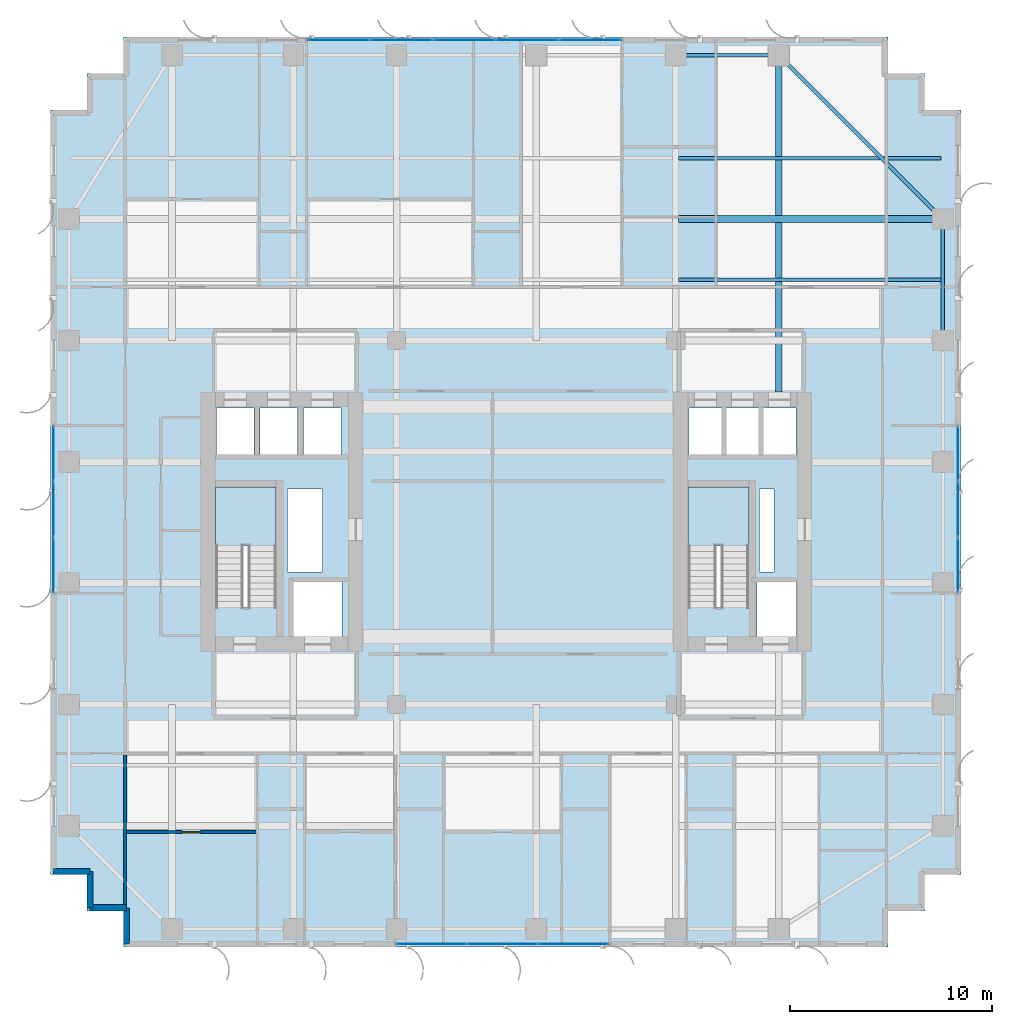
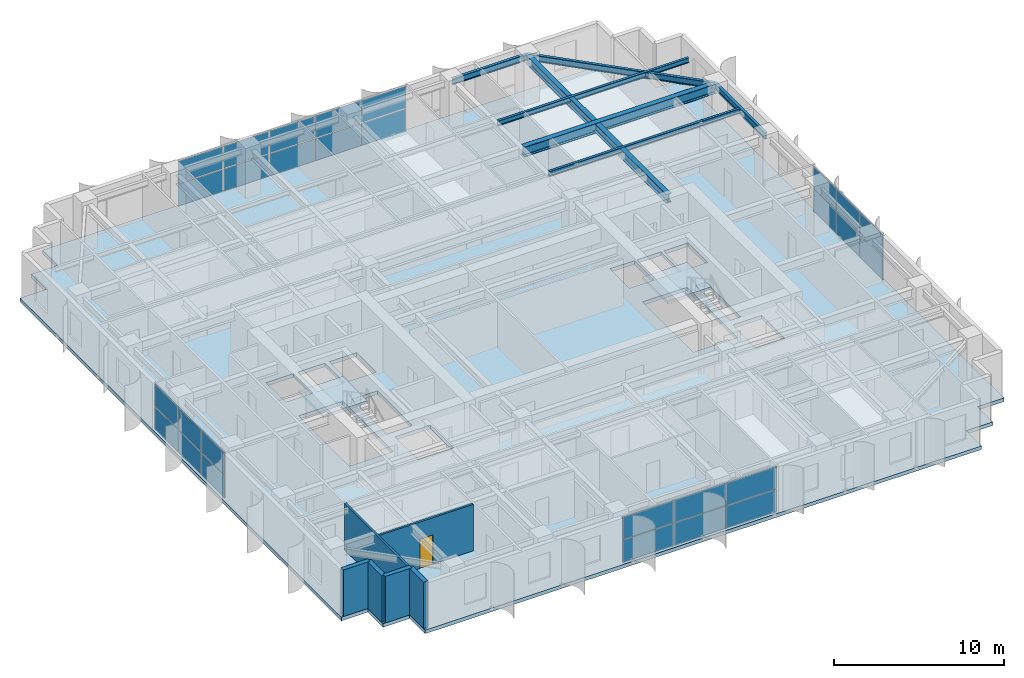
# One storey, part 12 of 22: 28 plates, 7 beams, 6 walls, 3 slabs, 1 door, 1 opening, 6 elements without a shape of their own.
"""IFC4 building model written with IfcOpenShell, lengths in metres."""

import ifcopenshell
import ifcopenshell.guid

model = None  # the IFC model being written
_history = None  # IfcOwnerHistory: only IFC2X3 demands one
_inside = {}  # id of a spatial element -> (the spatial element, [elements in it])
_under = {}  # id of a project, library or spatial element -> (it, [spatial elements below it])
_declared = {}  # id of a project -> (the project, [libraries it declares])
_typed = {}  # id of a type object -> (the type object, [elements of that type])
_made_of = {}  # id of a material, layer set ... -> (it, [elements and type objects made of it])


def new_model(schema):
    """Start an empty IFC model of exactly this schema.

    Asked for "IFC4X3", IfcOpenShell would pick the latest addendum, in which some entities
    have other attributes; the version numbers below select the first issue.
    IFC2X3 requires an IfcOwnerHistory on every rooted entity: one is made here for all.
    """
    global model, _history
    if schema == "IFC4X3":
        model = ifcopenshell.file(schema_version=(4, 3, 0, 0))
    else:
        model = ifcopenshell.file(schema=schema)
    _inside.clear()
    _under.clear()
    _declared.clear()
    _typed.clear()
    _made_of.clear()
    _history = None
    if model.schema == "IFC2X3":
        org = make("IfcOrganization", Name="unknown")
        user = make(
            "IfcPersonAndOrganization",
            ThePerson=make("IfcPerson", FamilyName="unknown"),
            TheOrganization=org,
        )
        app = make(
            "IfcApplication",
            ApplicationDeveloper=org,
            Version="unknown",
            ApplicationFullName="unknown",
            ApplicationIdentifier="unknown",
        )
        _history = make(
            "IfcOwnerHistory",
            OwningUser=user,
            OwningApplication=app,
            ChangeAction="ADDED",
            CreationDate=0,
        )
    return model


def make(cls, **values):
    """One entity of the class cls with the attributes given. An attribute that is None is left unset."""
    return model.create_entity(
        cls, **{name: value for name, value in values.items() if value is not None}
    )


def rooted(cls, **values):
    """An entity with a GlobalId (a new one), such as an element, a storey or a relation."""
    return make(cls, GlobalId=ifcopenshell.guid.new(), OwnerHistory=_history, **values)


def si_unit(unit_type, name, prefix=None):
    """IfcSIUnit, for example si_unit("LENGTHUNIT", "METRE", prefix="MILLI")."""
    return make("IfcSIUnit", UnitType=unit_type, Prefix=prefix, Name=name)


def assignment(units):
    """IfcUnitAssignment: the units of a project."""
    return None if units is None else make("IfcUnitAssignment", Units=units)


def point(xyz):
    """IfcCartesianPoint."""
    return None if xyz is None else make("IfcCartesianPoint", Coordinates=xyz)


def direction(xyz):
    """IfcDirection."""
    return None if xyz is None else make("IfcDirection", DirectionRatios=xyz)


def frame(location, z_axis=None, x_axis=None):
    """IfcAxis2Placement3D, a coordinate frame: its origin and axes. An axis left out is left unset."""
    return make(
        "IfcAxis2Placement3D",
        Location=point(location),
        Axis=direction(z_axis),
        RefDirection=direction(x_axis),
    )


def frame_2d(location, x_axis=None):
    """IfcAxis2Placement2D, a coordinate frame in the plane: its origin and x axis."""
    return make(
        "IfcAxis2Placement2D", Location=point(location), RefDirection=direction(x_axis)
    )


def origin():
    """The frame at (0, 0, 0) with its axes left unset."""
    return frame((0.0, 0.0, 0.0))


def origin_2d():
    """The frame at (0, 0) in the plane with its x axis left unset."""
    return frame_2d((0.0, 0.0))


def place(relative_to, where):
    """IfcLocalPlacement: puts the frame where relative to a parent placement (None: the world)."""
    return make(
        "IfcLocalPlacement", PlacementRelTo=relative_to, RelativePlacement=where
    )


def context(
    kind, dimensions, precision=None, world=None, true_north=None, identifier=None
):
    """IfcGeometricRepresentationContext, for example the 3D "Model" context."""
    return make(
        "IfcGeometricRepresentationContext",
        ContextIdentifier=identifier,
        ContextType=kind,
        CoordinateSpaceDimension=dimensions,
        Precision=precision,
        WorldCoordinateSystem=world,
        TrueNorth=true_north,
    )


def subcontext(parent, identifier, kind, view, scale=None):
    """IfcGeometricRepresentationSubContext, for example "Body" below "Model"."""
    return make(
        "IfcGeometricRepresentationSubContext",
        ContextIdentifier=identifier,
        ContextType=kind,
        ParentContext=parent,
        TargetScale=scale,
        TargetView=view,
    )


def project(units=None, contexts=None):
    """IfcProject with its units and contexts."""
    return rooted(
        "IfcProject",
        Name="project",
        RepresentationContexts=contexts,
        UnitsInContext=assignment(units),
    )


def spatial(cls, under=None, at=None, **own):
    """A site, building, storey or space (cls), placed at a placement, below another one or the project."""
    s = rooted(cls, ObjectPlacement=at, **own)
    if under is not None:
        _under.setdefault(under.id(), (under, []))[1].append(s)
    return s


def polyline(points):
    """IfcPolyline through the points."""
    return make("IfcPolyline", Points=[point(p) for p in points])


def profile(cls, at=None, kind="AREA", **sizes):
    """A parametric profile (cls). Its sizes go by their IFC names, for example OverallWidth=200.0."""
    return make(cls, ProfileType=kind, Position=at, **sizes)


def rectangle(**sizes):
    """IfcRectangleProfileDef."""
    return profile("IfcRectangleProfileDef", **sizes)


def i_section(**sizes):
    """IfcIShapeProfileDef."""
    return profile("IfcIShapeProfileDef", **sizes)


def outline(outer, holes=None, kind="AREA"):
    """IfcArbitraryClosedProfileDef: a profile drawn as a closed curve; with holes, ...WithVoids."""
    if holes is None:
        return make("IfcArbitraryClosedProfileDef", ProfileType=kind, OuterCurve=outer)
    return make(
        "IfcArbitraryProfileDefWithVoids",
        ProfileType=kind,
        OuterCurve=outer,
        InnerCurves=holes,
    )


def extrude(swept, where, along, depth):
    """IfcExtrudedAreaSolid: the profile swept, set in the frame where, extruded along a direction by depth."""
    return make(
        "IfcExtrudedAreaSolid",
        SweptArea=swept,
        Position=where,
        ExtrudedDirection=direction(along),
        Depth=depth,
    )


def shape(context_of_items, identifier, shape_type, items):
    """IfcShapeRepresentation: the items that make up one representation, for example the "Body"."""
    return make(
        "IfcShapeRepresentation",
        ContextOfItems=context_of_items,
        RepresentationIdentifier=identifier,
        RepresentationType=shape_type,
        Items=items,
    )


def source(mapping_origin, context_of_items, identifier, shape_type, items):
    """IfcRepresentationMap: a shape defined once, which mapped items show again and again."""
    return make(
        "IfcRepresentationMap",
        MappingOrigin=mapping_origin,
        MappedRepresentation=shape(context_of_items, identifier, shape_type, items),
    )


def transform(
    local_origin,
    x_axis=None,
    y_axis=None,
    z_axis=None,
    scale=None,
    scale2=None,
    scale3=None,
    uniform=True,
):
    """IfcCartesianTransformationOperator3D, or its non-uniform kind. x_axis, y_axis, z_axis: its Axis1, 2, 3."""
    if uniform:
        return make(
            "IfcCartesianTransformationOperator3D",
            Axis1=direction(x_axis),
            Axis2=direction(y_axis),
            LocalOrigin=point(local_origin),
            Scale=scale,
            Axis3=direction(z_axis),
        )
    return make(
        "IfcCartesianTransformationOperator3DnonUniform",
        Axis1=direction(x_axis),
        Axis2=direction(y_axis),
        LocalOrigin=point(local_origin),
        Scale=scale,
        Axis3=direction(z_axis),
        Scale2=scale2,
        Scale3=scale3,
    )


def mapped(mapping_source, mapping_target):
    """IfcMappedItem: shows the shape of a source again, moved by a transform."""
    return make(
        "IfcMappedItem", MappingSource=mapping_source, MappingTarget=mapping_target
    )


def material(Name=None, Category=None):
    """IfcMaterial."""
    return make("IfcMaterial", Name=Name, Category=Category)


def layer(
    of_material, thickness, ventilated=None, Name=None, Category=None, Priority=None
):
    """IfcMaterialLayer: one layer of a wall or slab, of a material (None: an air gap)."""
    return make(
        "IfcMaterialLayer",
        Material=of_material,
        LayerThickness=thickness,
        IsVentilated=ventilated,
        Name=Name,
        Category=Category,
        Priority=Priority,
    )


def layer_set(layers, Name=None):
    """IfcMaterialLayerSet."""
    return make("IfcMaterialLayerSet", MaterialLayers=layers, LayerSetName=Name)


def material_profile(
    of_material, cross_section, Name=None, Category=None, Priority=None
):
    """IfcMaterialProfile: a cross section and its material."""
    return make(
        "IfcMaterialProfile",
        Name=Name,
        Material=of_material,
        Profile=cross_section,
        Priority=Priority,
        Category=Category,
    )


def profile_set(profiles, Name=None, composite=None):
    """IfcMaterialProfileSet."""
    return make(
        "IfcMaterialProfileSet",
        Name=Name,
        MaterialProfiles=profiles,
        CompositeProfile=composite,
    )


def made_of(thing, what):
    """Note that an element or type object is made of a material, layer set ...; save() writes the relation."""
    if what is not None:
        _made_of.setdefault(what.id(), (what, []))[1].append(thing)
    return thing


def type_object(cls, material=None, **own):
    """A type object (cls), such as IfcWallType, which elements share."""
    return made_of(rooted(cls, **own), material)


def element(
    cls,
    number,
    at=None,
    inside=None,
    cuts=None,
    type_object=None,
    material=None,
    context=None,
    identifier="Body",
    shape_type=None,
    held_by="IfcProductDefinitionShape",
    body=None,
    shapes=None,
    **own,
):
    """One element of the class cls, such as IfcWall. Its Tag is "e" and its number.

    at: its placement. inside: the storey or other place that contains it. cuts: it is an
    opening in that element (IfcRelVoidsElement). A single representation is given by context,
    identifier, shape_type and body (its items); several are given by shapes. held_by: the class
    of the entity that holds the representations. save() writes the other relations.
    """
    e = rooted(cls, Tag="e%d" % number, ObjectPlacement=at, **own)
    if body is not None:
        shapes = [shape(context, identifier, shape_type, body)]
    if shapes is not None:
        e.Representation = make(held_by, Representations=shapes)
    if inside is not None:
        _inside.setdefault(inside.id(), (inside, []))[1].append(e)
    if cuts is not None:
        rooted(
            "IfcRelVoidsElement", RelatingBuildingElement=cuts, RelatedOpeningElement=e
        )
    if type_object is not None:
        _typed.setdefault(type_object.id(), (type_object, []))[1].append(e)
    return made_of(e, material)


def fill(opening, filler):
    """IfcRelFillsElement: the door or window that sits in an opening."""
    return rooted(
        "IfcRelFillsElement",
        RelatingOpeningElement=opening,
        RelatedBuildingElement=filler,
    )


def aggregate(whole, parts):
    """IfcRelAggregates: a whole, such as a stair, and the parts it consists of."""
    return rooted("IfcRelAggregates", RelatingObject=whole, RelatedObjects=parts)


def save(model, path):
    """Write the relations noted so far, then the file.

    IfcRelAggregates (storeys below a building ...), IfcRelContainedInSpatialStructure (elements
    in a storey), IfcRelDefinesByType, IfcRelAssociatesMaterial and IfcRelDeclares: one each for
    every whole, place, type object, material and project.
    """
    for whole, parts in _under.values():
        aggregate(whole, parts)
    for where, things in _inside.values():
        rooted(
            "IfcRelContainedInSpatialStructure",
            RelatedElements=things,
            RelatingStructure=where,
        )
    for kind, things in _typed.values():
        rooted("IfcRelDefinesByType", RelatedObjects=things, RelatingType=kind)
    for what, things in _made_of.values():
        rooted("IfcRelAssociatesMaterial", RelatedObjects=things, RelatingMaterial=what)
    for by, libraries in _declared.values():
        rooted("IfcRelDeclares", RelatingContext=by, RelatedDefinitions=libraries)
    model.write(path)


model = new_model("IFC4")

# Units and contexts
model_context = context("Model", 3, precision=1e-05, world=origin(), true_north=direction((0.0, 1.0)))
body_context = subcontext(model_context, "Body", "Model", "MODEL_VIEW")
ifc_project = project(units=[si_unit("LENGTHUNIT", "METRE"), si_unit("AREAUNIT", "SQUARE_METRE"), si_unit("VOLUMEUNIT", "CUBIC_METRE"), si_unit("PLANEANGLEUNIT", "RADIAN"), si_unit("MASSUNIT", "GRAM", prefix="KILO")], contexts=[model_context])

# Site, building, storey
site_placement = place(None, origin())
site = spatial("IfcSite", under=ifc_project, at=site_placement, CompositionType="ELEMENT")
building_placement = place(site_placement, origin())
building = spatial("IfcBuilding", under=site, at=building_placement, Name="Khoralis Quay Care Tower", CompositionType="ELEMENT")
storey_placement = place(building_placement, frame((0.0, 0.0, 94.5)))
storey = spatial("IfcBuildingStorey", under=building, at=storey_placement, Name="L24", CompositionType="ELEMENT", Elevation=94.5)

# Beams
ifc_material_1 = material(Name="Steel S355", Category="steel")
ifc_material_profile_1 = material_profile(ifc_material_1, i_section(OverallWidth=0.18994140625, OverallDepth=0.449951171875, WebThickness=0.009521484375, FlangeThickness=0.0146484375, FilletRadius=0.02099609375, at=origin_2d()), Name="Steel S355")
ifc_profile_set_1 = profile_set([ifc_material_profile_1], Name="Steel S355")
beam_type_1 = type_object("IfcBeamType", Name="BM-IPE450", PredefinedType="SPANDREL", material=ifc_profile_set_1)
shared_shape_1 = source(origin(), body_context, "Body", "SweptSolid", [
    extrude(i_section(OverallWidth=0.18994140625, OverallDepth=0.449951171875, WebThickness=0.009521484375, FlangeThickness=0.0146484375, FilletRadius=0.02099609375, at=origin_2d()), origin(), (0.0, 0.0, 1.0), 6.0),
])
beam_1_placement = place(storey_placement, frame((44.10009765625, 30.0, 3.114990234375), z_axis=(0.0, 1.0, 0.0), x_axis=(-1.0, 0.0, 0.0)))
element("IfcBeam", 1, at=beam_1_placement, inside=storey, type_object=beam_type_1, Name="BM-TSP-L24-20", PredefinedType="SPANDREL", context=body_context, shape_type="MappedRepresentation", body=[
    mapped(shared_shape_1, transform((0.0, 0.0, 0.0), scale=1.0)),
])
shared_shape_2 = source(origin(), body_context, "Body", "SweptSolid", [
    extrude(i_section(OverallWidth=0.18994140625, OverallDepth=0.449951171875, WebThickness=0.009521484375, FlangeThickness=0.0146484375, FilletRadius=0.02099609375, at=origin_2d()), origin(), (0.0, 0.0, 1.0), 5.10009765625),
])
beam_2_placement = place(storey_placement, frame((30.89990234375, 44.10009765625, 3.114990234375), z_axis=(1.0, 0.0, 0.0), x_axis=(0.0, 1.0, 0.0)))
element("IfcBeam", 2, at=beam_2_placement, inside=storey, type_object=beam_type_1, Name="BM-TSP-L24-10", PredefinedType="SPANDREL", context=body_context, shape_type="MappedRepresentation", body=[
    mapped(shared_shape_2, transform((0.0, 0.0, 0.0), scale=1.0)),
])
shared_shape_3 = source(origin(), body_context, "Body", "SweptSolid", [
    extrude(i_section(OverallWidth=0.18994140625, OverallDepth=0.449951171875, WebThickness=0.009521484375, FlangeThickness=0.0146484375, FilletRadius=0.02099609375, at=origin_2d()), origin(), (0.0, 0.0, 1.0), 11.455322265625),
])
beam_3_placement = place(storey_placement, frame((36.0, 44.10009765625, 3.114990234375), z_axis=(0.707106781187, -0.707106781187, 0.0), x_axis=(0.707106781187, 0.707106781187, 0.0)))
element("IfcBeam", 3, at=beam_3_placement, inside=storey, type_object=beam_type_1, Name="BM-TCR-L24-24", PredefinedType="SPANDREL", context=body_context, shape_type="MappedRepresentation", body=[
    mapped(shared_shape_3, transform((0.0, 0.0, 0.0), scale=1.0)),
])
ifc_material_profile_2 = material_profile(ifc_material_1, i_section(OverallWidth=0.35498046875, OverallDepth=0.695068359375, WebThickness=0.015380859375, FlangeThickness=0.02490234375, FilletRadius=0.02001953125, at=origin_2d()), Name="Steel S355")
ifc_profile_set_2 = profile_set([ifc_material_profile_2], Name="Steel S355")
beam_type_2 = type_object("IfcBeamType", Name="BM-W690X217", PredefinedType="BEAM", material=ifc_profile_set_2)
shared_shape_4 = source(origin(), body_context, "Body", "SweptSolid", [
    extrude(i_section(OverallWidth=0.35498046875, OverallDepth=0.695068359375, WebThickness=0.015380859375, FlangeThickness=0.02490234375, FilletRadius=0.02001953125, at=origin_2d()), origin(), (0.0, 0.0, 1.0), 13.049560546875),
])
beam_4_placement = place(storey_placement, frame((31.050537109375, 36.0, 2.992431640625), z_axis=(1.0, 0.0, 0.0), x_axis=(0.0, 1.0, 0.0)))
element("IfcBeam", 4, at=beam_4_placement, inside=storey, type_object=beam_type_2, Name="BM-TGXE-L24-360", PredefinedType="BEAM", context=body_context, shape_type="MappedRepresentation", body=[
    mapped(shared_shape_4, transform((0.0, 0.0, 0.0), scale=1.0)),
])
ifc_material_profile_3 = material_profile(ifc_material_1, i_section(OverallWidth=0.324951171875, OverallDepth=0.615966796875, WebThickness=0.013916015625, FlangeThickness=0.021484375, FilletRadius=0.01806640625, at=origin_2d()), Name="Steel S355")
ifc_profile_set_3 = profile_set([ifc_material_profile_3], Name="Steel S355")
beam_type_3 = type_object("IfcBeamType", Name="BM-W610X174", PredefinedType="BEAM", material=ifc_profile_set_3)
shared_shape_5 = source(origin(), body_context, "Body", "SweptSolid", [
    extrude(i_section(OverallWidth=0.324951171875, OverallDepth=0.615966796875, WebThickness=0.013916015625, FlangeThickness=0.021484375, FilletRadius=0.01806640625, at=origin_2d()), origin(), (0.0, 0.0, 1.0), 16.652099609375),
])
beam_5_placement = place(storey_placement, frame((36.0, 27.447998046875, 3.031982421875), z_axis=(0.0, 1.0, 0.0), x_axis=(-1.0, 0.0, 0.0)))
element("IfcBeam", 5, at=beam_5_placement, inside=storey, type_object=beam_type_3, Name="BM-TGYN-L24-360", PredefinedType="BEAM", context=body_context, shape_type="MappedRepresentation", body=[
    mapped(shared_shape_5, transform((0.0, 0.0, 0.0), scale=1.0)),
])
ifc_material_profile_4 = material_profile(ifc_material_1, i_section(OverallWidth=0.1708984375, OverallDepth=0.35498046875, WebThickness=0.007080078125, FlangeThickness=0.01171875, FilletRadius=0.012939453125, at=origin_2d()), Name="Steel S355")
ifc_profile_set_4 = profile_set([ifc_material_profile_4], Name="Steel S355")
beam_type_4 = type_object("IfcBeamType", Name="BM-W360X51", PredefinedType="JOIST", material=ifc_profile_set_4)
shared_shape_6 = source(origin(), body_context, "Body", "SweptSolid", [
    extrude(i_section(OverallWidth=0.1708984375, OverallDepth=0.35498046875, WebThickness=0.007080078125, FlangeThickness=0.01171875, FilletRadius=0.012939453125, at=origin_2d()), origin(), (0.0, 0.0, 1.0), 12.968505859375),
])
for number, where, z_axis, x_axis, name in (
    (6, (31.050537109375, 33.0, 3.16259765625), (1.0, 0.0, 0.0), (0.0, 1.0, 0.0), "BM-TJS-L24-29"),
    (7, (31.050537109375, 39.0, 3.16259765625), (1.0, 0.0, 0.0), (0.0, 1.0, 0.0), "BM-TJS-L24-32"),
):
    element("IfcBeam", number, at=place(storey_placement, frame(where, z_axis=z_axis, x_axis=x_axis)), inside=storey, type_object=beam_type_4, Name=name, PredefinedType="JOIST", context=body_context, shape_type="MappedRepresentation", body=[
        mapped(shared_shape_6, transform((0.0, 0.0, 0.0), scale=1.0)),
    ])

# Stair, slab
ifc_material_2 = material(Name="Precast concrete C45/55", Category="concrete")
stair_type = type_object("IfcStairType", Name="ST-TWR-DOGLEG-1400", PredefinedType="HALF_TURN_STAIR", material=ifc_material_2)
stair_1_placement = place(storey_placement, origin())
stair_1 = element("IfcStair", 8, at=stair_1_placement, inside=storey, type_object=stair_type, Name="L24 West Core Exit Stair ST-T1", PredefinedType="HALF_TURN_STAIR")
ifc_layer_1 = layer(ifc_material_2, 0.199951171875)
ifc_layer_set_1 = layer_set([ifc_layer_1], Name="Precast concrete C45/55")
slab_type_1 = type_object("IfcSlabType", Name="SLB-LANDING-200", PredefinedType="LANDING", material=ifc_layer_set_1)
slab_1_placement = place(storey_placement, frame((0.0, 0.0, 1.60009765625)))
slab_1 = element("IfcSlab", 9, at=slab_1_placement, type_object=slab_type_1, Name="ST-T1 landing 1", PredefinedType="LANDING", context=body_context, shape_type="SweptSolid", body=[
    extrude(outline(polyline([(11.14990234375, 19.840087890625), (11.14990234375, 22.75), (8.14990234375, 22.75), (8.14990234375, 19.840087890625), (11.14990234375, 19.840087890625)])), origin(), (0.0, 0.0, 1.0), 0.199951171875),
])
aggregate(stair_1, [slab_1])

stair_2_placement = place(storey_placement, origin())
stair_2 = element("IfcStair", 10, at=stair_2_placement, inside=storey, type_object=stair_type, Name="L24 East Core Exit Stair ST-T2", PredefinedType="HALF_TURN_STAIR")
slab_2_placement = place(storey_placement, frame((0.0, 0.0, 1.60009765625)))
slab_2 = element("IfcSlab", 11, at=slab_2_placement, type_object=slab_type_1, Name="ST-T2 landing 1", PredefinedType="LANDING", context=body_context, shape_type="SweptSolid", body=[
    extrude(outline(polyline([(34.52001953125, 19.840087890625), (34.52001953125, 22.75), (31.52001953125, 22.75), (31.52001953125, 19.840087890625), (34.52001953125, 19.840087890625)])), origin(), (0.0, 0.0, 1.0), 0.199951171875),
])
aggregate(stair_2, [slab_2])

# Slab
ifc_material_3 = material(Name="Concrete C40/50", Category="concrete")
ifc_layer_2 = layer(ifc_material_3, 0.260009765625)
ifc_layer_set_2 = layer_set([ifc_layer_2], Name="Concrete C40/50")
slab_type_2 = type_object("IfcSlabType", Name="SLB-TWR-260", PredefinedType="FLOOR", material=ifc_layer_set_2)
slab_3_placement = place(storey_placement, frame((0.0, 0.0, -0.260009765625)))
element("IfcSlab", 12, at=slab_3_placement, inside=storey, type_object=slab_type_2, Name="Tower Floor Slab L24", PredefinedType="FLOOR", context=body_context, shape_type="SweptSolid", body=[
    extrude(outline(polyline([(3.60009765625, 0.0), (41.39990234375, 0.0), (41.39990234375, 1.800048828125), (43.199951171875, 1.800048828125), (43.199951171875, 3.60009765625), (45.0, 3.60009765625), (45.0, 41.39990234375), (43.199951171875, 41.39990234375), (43.199951171875, 43.199951171875), (41.39990234375, 43.199951171875), (41.39990234375, 45.0), (3.60009765625, 45.0), (3.60009765625, 43.199951171875), (1.800048828125, 43.199951171875), (1.800048828125, 41.39990234375), (0.0, 41.39990234375), (0.0, 3.60009765625), (1.800048828125, 3.60009765625), (1.800048828125, 1.800048828125), (3.60009765625, 1.800048828125), (3.60009765625, 0.0)]), holes=[polyline([(11.14990234375, 16.800048828125), (11.14990234375, 22.75), (8.14990234375, 22.75), (8.14990234375, 16.800048828125), (11.14990234375, 16.800048828125)]), polyline([(34.52001953125, 16.800048828125), (34.52001953125, 22.75), (31.52001953125, 22.75), (31.52001953125, 16.800048828125), (34.52001953125, 16.800048828125)]), polyline([(12.0, 15.35009765625), (14.39990234375, 15.35009765625), (14.39990234375, 18.050048828125), (12.0, 18.050048828125), (12.0, 15.35009765625)]), polyline([(34.919921875, 15.35009765625), (36.8798828125, 15.35009765625), (36.8798828125, 18.050048828125), (34.919921875, 18.050048828125), (34.919921875, 15.35009765625)]), polyline([(8.199951171875, 24.35009765625), (10.050048828125, 24.35009765625), (10.050048828125, 26.64990234375), (8.199951171875, 26.64990234375), (8.199951171875, 24.35009765625)]), polyline([(31.550048828125, 24.35009765625), (33.199951171875, 24.35009765625), (33.199951171875, 26.64990234375), (31.550048828125, 26.64990234375), (31.550048828125, 24.35009765625)]), polyline([(10.35009765625, 24.35009765625), (12.199951171875, 24.35009765625), (12.199951171875, 26.64990234375), (10.35009765625, 26.64990234375), (10.35009765625, 24.35009765625)]), polyline([(33.3798828125, 24.35009765625), (35.030029296875, 24.35009765625), (35.030029296875, 26.64990234375), (33.3798828125, 26.64990234375), (33.3798828125, 24.35009765625)]), polyline([(12.5, 24.35009765625), (14.35009765625, 24.35009765625), (14.35009765625, 26.64990234375), (12.5, 26.64990234375), (12.5, 24.35009765625)]), polyline([(35.199951171875, 24.35009765625), (36.85009765625, 24.35009765625), (36.85009765625, 26.64990234375), (35.199951171875, 26.64990234375), (35.199951171875, 24.35009765625)]), polyline([(11.719970703125, 18.550048828125), (13.449951171875, 18.550048828125), (13.449951171875, 22.64990234375), (11.719970703125, 22.64990234375), (11.719970703125, 18.550048828125)]), polyline([(35.050048828125, 18.550048828125), (35.75, 18.550048828125), (35.75, 22.64990234375), (35.050048828125, 22.64990234375), (35.050048828125, 18.550048828125)])]), origin(), (0.0, 0.0, 1.0), 0.260009765625),
])

# Curtain wall, plates
ifc_material_4 = material(Name="Pale anodised aluminium", Category="aluminium")
ifc_layer_3 = layer(ifc_material_4, 0.169921875)
ifc_layer_set_3 = layer_set([ifc_layer_3], Name="Pale anodised aluminium")
curtain_wall_type = type_object("IfcCurtainWallType", Name="CW-SYS-Z2", PredefinedType="NOTDEFINED", material=ifc_layer_set_3)
curtain_wall_1_placement = place(storey_placement, origin())
curtain_wall_1 = element("IfcCurtainWall", 13, at=curtain_wall_1_placement, inside=storey, type_object=curtain_wall_type, Name="L24 Unitised Curtain Wall CW-L24-P1-E5", PredefinedType="NOTDEFINED")
ifc_material_5 = material(Name="Low-E solar-control double glazing", Category="glass")
ifc_layer_4 = layer(ifc_material_5, 0.031982421875)
ifc_layer_set_4 = layer_set([ifc_layer_4], Name="Low-E solar-control double glazing")
plate_type = type_object("IfcPlateType", Name="PNL-VIS-32", PredefinedType="CURTAIN_PANEL", material=ifc_layer_set_4)
shared_shape_7 = source(origin(), body_context, "Body", "SweptSolid", [
    extrude(rectangle(XDim=2.6767578125, YDim=0.028076171875, at=origin_2d()), origin(), (0.0, 0.0, 1.0), 1.580078125),
])
plate_1_placement = place(storey_placement, frame((44.85009765625, 18.8984375, 0.06005859375), z_axis=(0.0, 0.0, 1.0), x_axis=(0.0, 1.0, 0.0)))
plate_1 = element("IfcPlate", 14, at=plate_1_placement, type_object=plate_type, Name="CW2 panel 1.1", PredefinedType="CURTAIN_PANEL", context=body_context, shape_type="MappedRepresentation", body=[
    mapped(shared_shape_7, transform((0.0, 0.0, 0.0), scale=1.0)),
])
plate_2_placement = place(storey_placement, frame((44.85009765625, 18.8984375, 1.699951171875), z_axis=(0.0, 0.0, 1.0), x_axis=(0.0, 1.0, 0.0)))
plate_2 = element("IfcPlate", 15, at=plate_2_placement, type_object=plate_type, Name="CW2 panel 1.2", PredefinedType="CURTAIN_PANEL", context=body_context, shape_type="MappedRepresentation", body=[
    mapped(shared_shape_7, transform((0.0, 0.0, 0.0), scale=1.0)),
])
plate_3_placement = place(storey_placement, frame((44.85009765625, 24.401611328125, 0.06005859375), z_axis=(0.0, 0.0, 1.0), x_axis=(0.0, 1.0, 0.0)))
plate_3 = element("IfcPlate", 16, at=plate_3_placement, type_object=plate_type, Name="CW2 panel 3.1", PredefinedType="CURTAIN_PANEL", context=body_context, shape_type="MappedRepresentation", body=[
    mapped(shared_shape_7, transform((0.0, 0.0, 0.0), scale=1.0)),
])
plate_4_placement = place(storey_placement, frame((44.85009765625, 24.401611328125, 1.699951171875), z_axis=(0.0, 0.0, 1.0), x_axis=(0.0, 1.0, 0.0)))
plate_4 = element("IfcPlate", 17, at=plate_4_placement, type_object=plate_type, Name="CW2 panel 3.2", PredefinedType="CURTAIN_PANEL", context=body_context, shape_type="MappedRepresentation", body=[
    mapped(shared_shape_7, transform((0.0, 0.0, 0.0), scale=1.0)),
])

curtain_wall_2_placement = place(storey_placement, origin())
curtain_wall_2 = element("IfcCurtainWall", 18, at=curtain_wall_2_placement, inside=storey, type_object=curtain_wall_type, Name="L24 Unitised Curtain Wall CW-L24-P1-E15", PredefinedType="NOTDEFINED")
plate_5_placement = place(storey_placement, frame((0.14990234375, 24.401611328125, 0.06005859375), z_axis=(0.0, 0.0, 1.0), x_axis=(0.0, -1.0, 0.0)))
plate_5 = element("IfcPlate", 19, at=plate_5_placement, type_object=plate_type, Name="CW2 panel 1.1", PredefinedType="CURTAIN_PANEL", context=body_context, shape_type="MappedRepresentation", body=[
    mapped(shared_shape_7, transform((0.0, 0.0, 0.0), scale=1.0)),
])
plate_6_placement = place(storey_placement, frame((0.14990234375, 24.401611328125, 1.699951171875), z_axis=(0.0, 0.0, 1.0), x_axis=(0.0, -1.0, 0.0)))
plate_6 = element("IfcPlate", 20, at=plate_6_placement, type_object=plate_type, Name="CW2 panel 1.2", PredefinedType="CURTAIN_PANEL", context=body_context, shape_type="MappedRepresentation", body=[
    mapped(shared_shape_7, transform((0.0, 0.0, 0.0), scale=1.0)),
])
plate_7_placement = place(storey_placement, frame((0.14990234375, 18.8984375, 0.06005859375), z_axis=(0.0, 0.0, 1.0), x_axis=(0.0, -1.0, 0.0)))
plate_7 = element("IfcPlate", 21, at=plate_7_placement, type_object=plate_type, Name="CW2 panel 3.1", PredefinedType="CURTAIN_PANEL", context=body_context, shape_type="MappedRepresentation", body=[
    mapped(shared_shape_7, transform((0.0, 0.0, 0.0), scale=1.0)),
])
plate_8_placement = place(storey_placement, frame((0.14990234375, 18.8984375, 1.699951171875), z_axis=(0.0, 0.0, 1.0), x_axis=(0.0, -1.0, 0.0)))
plate_8 = element("IfcPlate", 22, at=plate_8_placement, type_object=plate_type, Name="CW2 panel 3.2", PredefinedType="CURTAIN_PANEL", context=body_context, shape_type="MappedRepresentation", body=[
    mapped(shared_shape_7, transform((0.0, 0.0, 0.0), scale=1.0)),
])

# Plate
shared_shape_8 = source(origin(), body_context, "Body", "SweptSolid", [
    extrude(rectangle(XDim=2.706787109375, YDim=0.028076171875, at=origin_2d()), origin(), (0.0, 0.0, 1.0), 1.580078125),
])
plate_9_placement = place(storey_placement, frame((44.85009765625, 21.64990234375, 0.06005859375), z_axis=(0.0, 0.0, 1.0), x_axis=(0.0, 1.0, 0.0)))
plate_9 = element("IfcPlate", 23, at=plate_9_placement, type_object=plate_type, Name="CW2 panel 2.1", PredefinedType="CURTAIN_PANEL", context=body_context, shape_type="MappedRepresentation", body=[
    mapped(shared_shape_8, transform((0.0, 0.0, 0.0), scale=1.0)),
])

plate_10_placement = place(storey_placement, frame((44.85009765625, 21.64990234375, 1.699951171875), z_axis=(0.0, 0.0, 1.0), x_axis=(0.0, 1.0, 0.0)))
plate_10 = element("IfcPlate", 24, at=plate_10_placement, type_object=plate_type, Name="CW2 panel 2.2", PredefinedType="CURTAIN_PANEL", context=body_context, shape_type="MappedRepresentation", body=[
    mapped(shared_shape_8, transform((0.0, 0.0, 0.0), scale=1.0)),
])

aggregate(curtain_wall_1, [plate_1, plate_2, plate_9, plate_10, plate_3, plate_4])

plate_11_placement = place(storey_placement, frame((0.14990234375, 21.64990234375, 0.06005859375), z_axis=(0.0, 0.0, 1.0), x_axis=(0.0, -1.0, 0.0)))
plate_11 = element("IfcPlate", 25, at=plate_11_placement, type_object=plate_type, Name="CW2 panel 2.1", PredefinedType="CURTAIN_PANEL", context=body_context, shape_type="MappedRepresentation", body=[
    mapped(shared_shape_8, transform((0.0, 0.0, 0.0), scale=1.0)),
])

plate_12_placement = place(storey_placement, frame((0.14990234375, 21.64990234375, 1.699951171875), z_axis=(0.0, 0.0, 1.0), x_axis=(0.0, -1.0, 0.0)))
plate_12 = element("IfcPlate", 26, at=plate_12_placement, type_object=plate_type, Name="CW2 panel 2.2", PredefinedType="CURTAIN_PANEL", context=body_context, shape_type="MappedRepresentation", body=[
    mapped(shared_shape_8, transform((0.0, 0.0, 0.0), scale=1.0)),
])

aggregate(curtain_wall_2, [plate_5, plate_6, plate_11, plate_12, plate_7, plate_8])

# Curtain wall, plates
curtain_wall_3_placement = place(storey_placement, origin())
curtain_wall_3 = element("IfcCurtainWall", 27, at=curtain_wall_3_placement, inside=storey, type_object=curtain_wall_type, Name="L24 Unitised Curtain Wall CW-L24-P1-E0", PredefinedType="NOTDEFINED")
shared_shape_9 = source(origin(), body_context, "Body", "SweptSolid", [
    extrude(rectangle(XDim=3.429931640625, YDim=0.028076171875, at=origin_2d()), origin(), (0.0, 0.0, 1.0), 1.580078125),
])
plate_13_placement = place(storey_placement, frame((18.8349609375, 0.14990234375, 0.06005859375), z_axis=(0.0, 0.0, 1.0), x_axis=(1.0, 0.0, 0.0)))
plate_13 = element("IfcPlate", 28, at=plate_13_placement, type_object=plate_type, Name="CW2 panel 1.1", PredefinedType="CURTAIN_PANEL", context=body_context, shape_type="MappedRepresentation", body=[
    mapped(shared_shape_9, transform((0.0, 0.0, 0.0), scale=1.0)),
])
plate_14_placement = place(storey_placement, frame((18.8349609375, 0.14990234375, 1.699951171875), z_axis=(0.0, 0.0, 1.0), x_axis=(1.0, 0.0, 0.0)))
plate_14 = element("IfcPlate", 29, at=plate_14_placement, type_object=plate_type, Name="CW2 panel 1.2", PredefinedType="CURTAIN_PANEL", context=body_context, shape_type="MappedRepresentation", body=[
    mapped(shared_shape_9, transform((0.0, 0.0, 0.0), scale=1.0)),
])
plate_15_placement = place(storey_placement, frame((25.844970703125, 0.14990234375, 0.06005859375), z_axis=(0.0, 0.0, 1.0), x_axis=(1.0, 0.0, 0.0)))
plate_15 = element("IfcPlate", 30, at=plate_15_placement, type_object=plate_type, Name="CW2 panel 3.1", PredefinedType="CURTAIN_PANEL", context=body_context, shape_type="MappedRepresentation", body=[
    mapped(shared_shape_9, transform((0.0, 0.0, 0.0), scale=1.0)),
])
plate_16_placement = place(storey_placement, frame((25.844970703125, 0.14990234375, 1.699951171875), z_axis=(0.0, 0.0, 1.0), x_axis=(1.0, 0.0, 0.0)))
plate_16 = element("IfcPlate", 31, at=plate_16_placement, type_object=plate_type, Name="CW2 panel 3.2", PredefinedType="CURTAIN_PANEL", context=body_context, shape_type="MappedRepresentation", body=[
    mapped(shared_shape_9, transform((0.0, 0.0, 0.0), scale=1.0)),
])
shared_shape_10 = source(origin(), body_context, "Body", "SweptSolid", [
    extrude(rectangle(XDim=3.4599609375, YDim=0.028076171875, at=origin_2d()), origin(), (0.0, 0.0, 1.0), 1.580078125),
])
plate_17_placement = place(storey_placement, frame((22.340087890625, 0.14990234375, 0.06005859375), z_axis=(0.0, 0.0, 1.0), x_axis=(1.0, 0.0, 0.0)))
plate_17 = element("IfcPlate", 32, at=plate_17_placement, type_object=plate_type, Name="CW2 panel 2.1", PredefinedType="CURTAIN_PANEL", context=body_context, shape_type="MappedRepresentation", body=[
    mapped(shared_shape_10, transform((0.0, 0.0, 0.0), scale=1.0)),
])
plate_18_placement = place(storey_placement, frame((22.340087890625, 0.14990234375, 1.699951171875), z_axis=(0.0, 0.0, 1.0), x_axis=(1.0, 0.0, 0.0)))
plate_18 = element("IfcPlate", 33, at=plate_18_placement, type_object=plate_type, Name="CW2 panel 2.2", PredefinedType="CURTAIN_PANEL", context=body_context, shape_type="MappedRepresentation", body=[
    mapped(shared_shape_10, transform((0.0, 0.0, 0.0), scale=1.0)),
])
aggregate(curtain_wall_3, [plate_13, plate_14, plate_17, plate_18, plate_15, plate_16])

curtain_wall_4_placement = place(storey_placement, origin())
curtain_wall_4 = element("IfcCurtainWall", 34, at=curtain_wall_4_placement, inside=storey, type_object=curtain_wall_type, Name="L24 Unitised Curtain Wall CW-L24-P1-E10", PredefinedType="NOTDEFINED")
shared_shape_11 = source(origin(), body_context, "Body", "SweptSolid", [
    extrude(rectangle(XDim=3.029541015625, YDim=0.028076171875, at=origin_2d()), origin(), (0.0, 0.0, 1.0), 1.580078125),
])
plate_19_placement = place(storey_placement, frame((26.68310546875, 44.85009765625, 0.06005859375), z_axis=(0.0, 0.0, 1.0), x_axis=(-1.0, 0.0, 0.0)))
plate_19 = element("IfcPlate", 35, at=plate_19_placement, type_object=plate_type, Name="CW2 panel 1.1", PredefinedType="CURTAIN_PANEL", context=body_context, shape_type="MappedRepresentation", body=[
    mapped(shared_shape_11, transform((0.0, 0.0, 0.0), scale=1.0)),
])
plate_20_placement = place(storey_placement, frame((26.68310546875, 44.85009765625, 1.699951171875), z_axis=(0.0, 0.0, 1.0), x_axis=(-1.0, 0.0, 0.0)))
plate_20 = element("IfcPlate", 36, at=plate_20_placement, type_object=plate_type, Name="CW2 panel 1.2", PredefinedType="CURTAIN_PANEL", context=body_context, shape_type="MappedRepresentation", body=[
    mapped(shared_shape_11, transform((0.0, 0.0, 0.0), scale=1.0)),
])
plate_21_placement = place(storey_placement, frame((14.23486328125, 44.85009765625, 0.06005859375), z_axis=(0.0, 0.0, 1.0), x_axis=(-1.0, 0.0, 0.0)))
plate_21 = element("IfcPlate", 37, at=plate_21_placement, type_object=plate_type, Name="CW2 panel 5.1", PredefinedType="CURTAIN_PANEL", context=body_context, shape_type="MappedRepresentation", body=[
    mapped(shared_shape_11, transform((0.0, 0.0, 0.0), scale=1.0)),
])
plate_22_placement = place(storey_placement, frame((14.23486328125, 44.85009765625, 1.699951171875), z_axis=(0.0, 0.0, 1.0), x_axis=(-1.0, 0.0, 0.0)))
plate_22 = element("IfcPlate", 38, at=plate_22_placement, type_object=plate_type, Name="CW2 panel 5.2", PredefinedType="CURTAIN_PANEL", context=body_context, shape_type="MappedRepresentation", body=[
    mapped(shared_shape_11, transform((0.0, 0.0, 0.0), scale=1.0)),
])
shared_shape_12 = source(origin(), body_context, "Body", "SweptSolid", [
    extrude(rectangle(XDim=3.0595703125, YDim=0.028076171875, at=origin_2d()), origin(), (0.0, 0.0, 1.0), 1.580078125),
])
plate_23_placement = place(storey_placement, frame((23.57861328125, 44.85009765625, 0.06005859375), z_axis=(0.0, 0.0, 1.0), x_axis=(-1.0, 0.0, 0.0)))
plate_23 = element("IfcPlate", 39, at=plate_23_placement, type_object=plate_type, Name="CW2 panel 2.1", PredefinedType="CURTAIN_PANEL", context=body_context, shape_type="MappedRepresentation", body=[
    mapped(shared_shape_12, transform((0.0, 0.0, 0.0), scale=1.0)),
])
plate_24_placement = place(storey_placement, frame((23.57861328125, 44.85009765625, 1.699951171875), z_axis=(0.0, 0.0, 1.0), x_axis=(-1.0, 0.0, 0.0)))
plate_24 = element("IfcPlate", 40, at=plate_24_placement, type_object=plate_type, Name="CW2 panel 2.2", PredefinedType="CURTAIN_PANEL", context=body_context, shape_type="MappedRepresentation", body=[
    mapped(shared_shape_12, transform((0.0, 0.0, 0.0), scale=1.0)),
])
plate_25_placement = place(storey_placement, frame((20.458984375, 44.85009765625, 0.06005859375), z_axis=(0.0, 0.0, 1.0), x_axis=(-1.0, 0.0, 0.0)))
plate_25 = element("IfcPlate", 41, at=plate_25_placement, type_object=plate_type, Name="CW2 panel 3.1", PredefinedType="CURTAIN_PANEL", context=body_context, shape_type="MappedRepresentation", body=[
    mapped(shared_shape_12, transform((0.0, 0.0, 0.0), scale=1.0)),
])
plate_26_placement = place(storey_placement, frame((20.458984375, 44.85009765625, 1.699951171875), z_axis=(0.0, 0.0, 1.0), x_axis=(-1.0, 0.0, 0.0)))
plate_26 = element("IfcPlate", 42, at=plate_26_placement, type_object=plate_type, Name="CW2 panel 3.2", PredefinedType="CURTAIN_PANEL", context=body_context, shape_type="MappedRepresentation", body=[
    mapped(shared_shape_12, transform((0.0, 0.0, 0.0), scale=1.0)),
])
plate_27_placement = place(storey_placement, frame((17.33935546875, 44.85009765625, 0.06005859375), z_axis=(0.0, 0.0, 1.0), x_axis=(-1.0, 0.0, 0.0)))
plate_27 = element("IfcPlate", 43, at=plate_27_placement, type_object=plate_type, Name="CW2 panel 4.1", PredefinedType="CURTAIN_PANEL", context=body_context, shape_type="MappedRepresentation", body=[
    mapped(shared_shape_12, transform((0.0, 0.0, 0.0), scale=1.0)),
])
plate_28_placement = place(storey_placement, frame((17.33935546875, 44.85009765625, 1.699951171875), z_axis=(0.0, 0.0, 1.0), x_axis=(-1.0, 0.0, 0.0)))
plate_28 = element("IfcPlate", 44, at=plate_28_placement, type_object=plate_type, Name="CW2 panel 4.2", PredefinedType="CURTAIN_PANEL", context=body_context, shape_type="MappedRepresentation", body=[
    mapped(shared_shape_12, transform((0.0, 0.0, 0.0), scale=1.0)),
])
aggregate(curtain_wall_4, [plate_19, plate_20, plate_23, plate_24, plate_25, plate_26, plate_27, plate_28, plate_21, plate_22])

# Walls
ifc_layer_5 = layer(ifc_material_2, 0.300048828125)
ifc_layer_set_5 = layer_set([ifc_layer_5], Name="Precast concrete C45/55")
wall_type_1 = type_object("IfcWallType", Name="WL-EXT-REF-300", PredefinedType="SOLIDWALL", material=ifc_layer_set_5)
for number, where, z_axis, x_axis, name in (
    (45, (0.14990234375, 3.75, 0.0), (0.0, 0.0, 1.0), (1.0, 0.0, 0.0), "L24 External Facade Wall WL-EXT-L24-P1-C16"),
    (46, (1.949951171875, 3.75, 0.0), (0.0, 0.0, 1.0), (0.0, -1.0, 0.0), "L24 External Facade Wall WL-EXT-L24-P1-C17"),
    (47, (1.949951171875, 1.949951171875, 0.0), (0.0, 0.0, 1.0), (1.0, 0.0, 0.0), "L24 External Facade Wall WL-EXT-L24-P1-C18"),
    (48, (3.75, 1.949951171875, 0.0), (0.0, 0.0, 1.0), (0.0, -1.0, 0.0), "L24 External Facade Wall WL-EXT-L24-P1-C19"),
):
    element("IfcWall", number, at=place(storey_placement, frame(where, z_axis=z_axis, x_axis=x_axis)), inside=storey, type_object=wall_type_1, Name=name, PredefinedType="SOLIDWALL", context=body_context, shape_type="SweptSolid", body=[
        extrude(rectangle(XDim=1.800048828125, YDim=0.300048828125, at=frame_2d((0.89990234375, 0.0))), origin(), (0.0, 0.0, 1.0), 3.340087890625),
    ])
ifc_material_6 = material(Name="Gypsum plasterboard on acoustic metal stud")
ifc_layer_6 = layer(ifc_material_6, 0.139892578125)
ifc_layer_set_6 = layer_set([ifc_layer_6], Name="Gypsum plasterboard on acoustic metal stud")
wall_type_2 = type_object("IfcWallType", Name="WL-UNIT-140", PredefinedType="PARTITIONING", material=ifc_layer_set_6)
wall_1_placement = place(storey_placement, frame((3.679931640625, 1.945068359375, 0.0), z_axis=(0.0, 0.0, 1.0), x_axis=(0.0, 1.0, 0.0)))
element("IfcWall", 49, at=wall_1_placement, inside=storey, type_object=wall_type_2, Name="L24 SB Demising Wall 0", PredefinedType="PARTITIONING", context=body_context, shape_type="SweptSolid", body=[
    extrude(rectangle(XDim=7.557373046875, YDim=0.139892578125, at=frame_2d((3.77880859375, 0.0))), origin(), (0.0, 0.0, 1.0), 3.340087890625),
])

# Wall, opening, door
wall_2_placement = place(storey_placement, frame((3.7451171875, 5.68994140625, 0.0), z_axis=(0.0, 0.0, 1.0), x_axis=(1.0, 0.0, 0.0)))
wall_2 = element("IfcWall", 50, at=wall_2_placement, inside=storey, type_object=wall_type_2, Name="Skilled Care Bedroom L24-SB0 Sub-Partition", PredefinedType="PARTITIONING", context=body_context, shape_type="SweptSolid", body=[
    extrude(rectangle(XDim=6.39990234375, YDim=0.139892578125, at=frame_2d((3.199951171875, 0.0))), origin(), (0.0, 0.0, 1.0), 3.340087890625),
])
opening_placement = place(wall_2_placement, frame((2.75, 0.0, 0.0)))
opening = element("IfcOpeningElement", 51, at=opening_placement, cuts=wall_2, Name="Opening WD1", PredefinedType="OPENING", context=body_context, shape_type="SweptSolid", body=[
    extrude(rectangle(XDim=0.89990234375, YDim=2.10009765625, at=frame_2d((0.449951171875, 1.050048828125))), frame((0.0, 0.080078125, 0.0), z_axis=(0.0, -1.0, 0.0), x_axis=(1.0, 0.0, 0.0)), (0.0, 0.0, 1.0), 0.159912109375),
])
ifc_material_7 = material(Name="Acoustic hardwood timber", Category="wood")
door_type = type_object("IfcDoorType", Name="DR-BATH-900X2100", OperationType="NOTDEFINED", PredefinedType="DOOR", material=ifc_material_7)
shared_shape_13 = source(origin(), body_context, "Body", "SweptSolid", [
    extrude(rectangle(XDim=0.89990234375, YDim=2.10009765625, at=frame_2d((0.449951171875, 1.050048828125))), frame((0.0, 0.02490234375, 0.0), z_axis=(0.0, -1.0, 0.0), x_axis=(1.0, 0.0, 0.0)), (0.0, 0.0, 1.0), 0.050048828125),
])
door_placement = place(opening_placement, origin())
door = element("IfcDoor", 52, at=door_placement, inside=storey, type_object=door_type, Name="Private Study & Reading Alcove ARE0 Door", OperationType="SINGLE_SWING_LEFT", OverallHeight=2.10009765625, OverallWidth=0.89990234375, PredefinedType="DOOR", context=body_context, shape_type="MappedRepresentation", body=[
    mapped(shared_shape_13, transform((0.0, 0.0, 0.0), scale=1.0)),
])
fill(opening, door)

save(model, "model.ifc")
